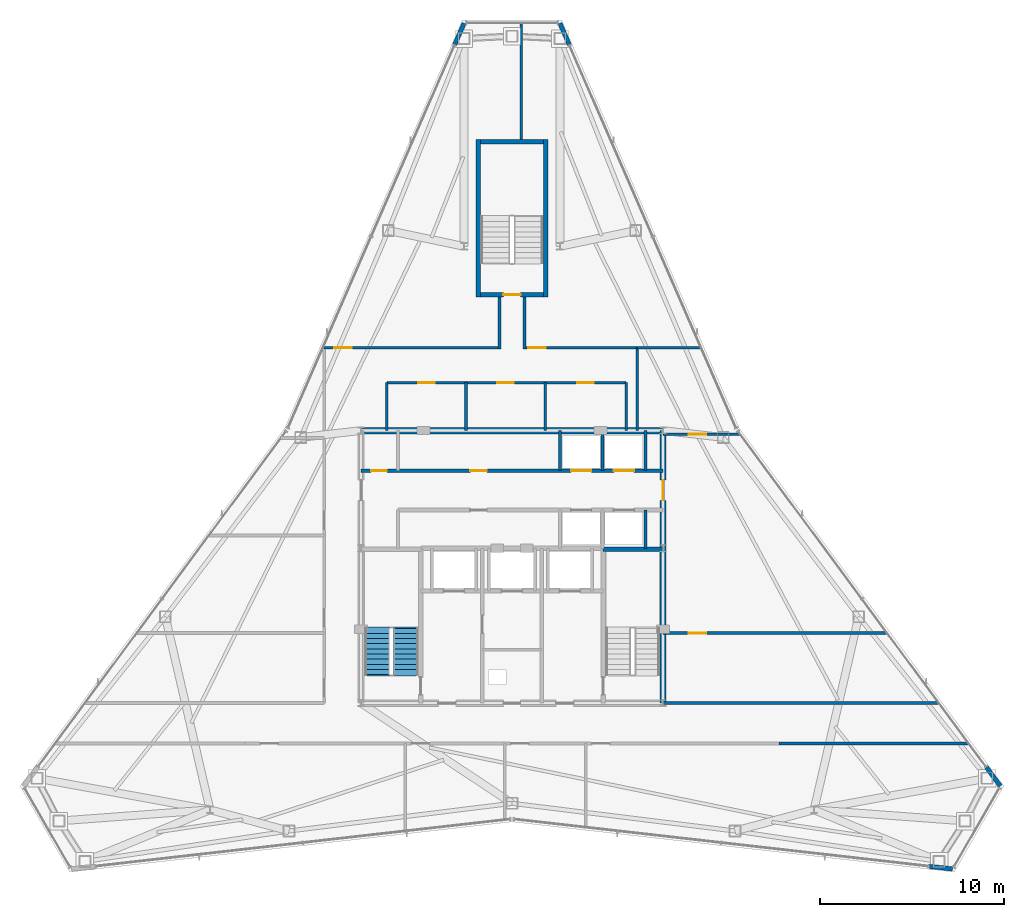
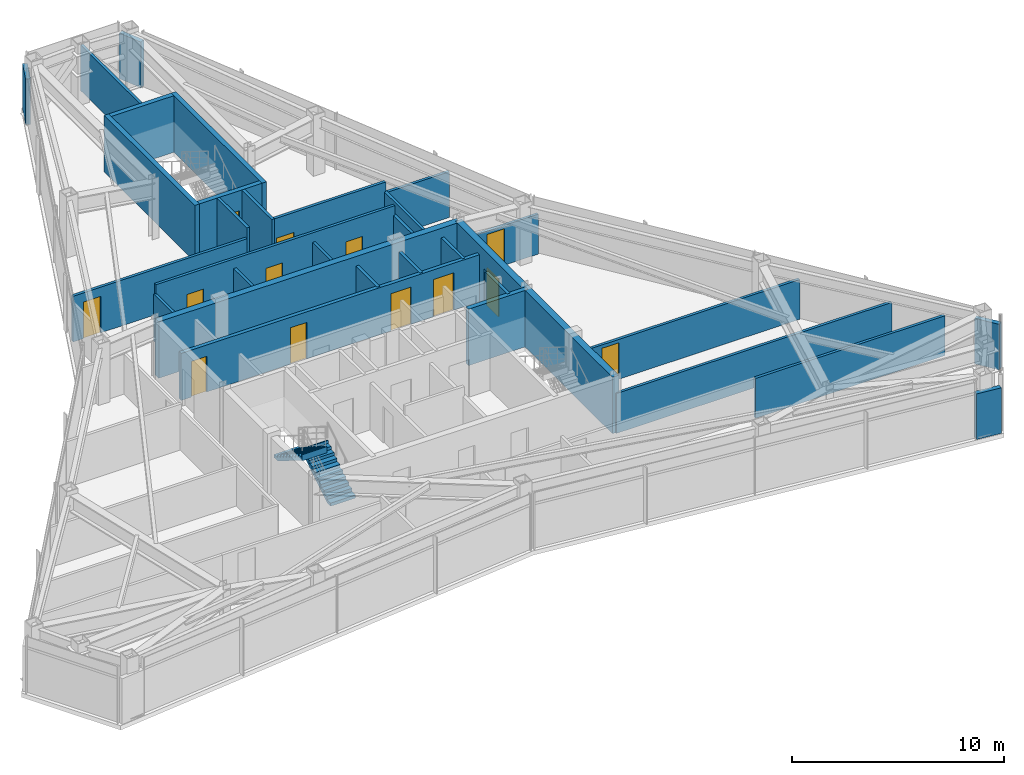
# One storey, part 10 of 12: 32 walls, 13 doors, 2 stair flights, 13 openings, 1 element without a shape of its own.
"""IFC4 building model written with IfcOpenShell, lengths in metres."""

import ifcopenshell
import ifcopenshell.guid

model = None  # the IFC model being written
_history = None  # IfcOwnerHistory: only IFC2X3 demands one
_inside = {}  # id of a spatial element -> (the spatial element, [elements in it])
_under = {}  # id of a project, library or spatial element -> (it, [spatial elements below it])
_declared = {}  # id of a project -> (the project, [libraries it declares])
_typed = {}  # id of a type object -> (the type object, [elements of that type])
_made_of = {}  # id of a material, layer set ... -> (it, [elements and type objects made of it])


def new_model(schema):
    """Start an empty IFC model of exactly this schema.

    Asked for "IFC4X3", IfcOpenShell would pick the latest addendum, in which some entities
    have other attributes; the version numbers below select the first issue.
    IFC2X3 requires an IfcOwnerHistory on every rooted entity: one is made here for all.
    """
    global model, _history
    if schema == "IFC4X3":
        model = ifcopenshell.file(schema_version=(4, 3, 0, 0))
    else:
        model = ifcopenshell.file(schema=schema)
    _inside.clear()
    _under.clear()
    _declared.clear()
    _typed.clear()
    _made_of.clear()
    _history = None
    if model.schema == "IFC2X3":
        org = make("IfcOrganization", Name="unknown")
        user = make(
            "IfcPersonAndOrganization",
            ThePerson=make("IfcPerson", FamilyName="unknown"),
            TheOrganization=org,
        )
        app = make(
            "IfcApplication",
            ApplicationDeveloper=org,
            Version="unknown",
            ApplicationFullName="unknown",
            ApplicationIdentifier="unknown",
        )
        _history = make(
            "IfcOwnerHistory",
            OwningUser=user,
            OwningApplication=app,
            ChangeAction="ADDED",
            CreationDate=0,
        )
    return model


def make(cls, **values):
    """One entity of the class cls with the attributes given. An attribute that is None is left unset."""
    return model.create_entity(
        cls, **{name: value for name, value in values.items() if value is not None}
    )


def rooted(cls, **values):
    """An entity with a GlobalId (a new one), such as an element, a storey or a relation."""
    return make(cls, GlobalId=ifcopenshell.guid.new(), OwnerHistory=_history, **values)


def si_unit(unit_type, name, prefix=None):
    """IfcSIUnit, for example si_unit("LENGTHUNIT", "METRE", prefix="MILLI")."""
    return make("IfcSIUnit", UnitType=unit_type, Prefix=prefix, Name=name)


def assignment(units):
    """IfcUnitAssignment: the units of a project."""
    return None if units is None else make("IfcUnitAssignment", Units=units)


def point(xyz):
    """IfcCartesianPoint."""
    return None if xyz is None else make("IfcCartesianPoint", Coordinates=xyz)


def direction(xyz):
    """IfcDirection."""
    return None if xyz is None else make("IfcDirection", DirectionRatios=xyz)


def frame(location, z_axis=None, x_axis=None):
    """IfcAxis2Placement3D, a coordinate frame: its origin and axes. An axis left out is left unset."""
    return make(
        "IfcAxis2Placement3D",
        Location=point(location),
        Axis=direction(z_axis),
        RefDirection=direction(x_axis),
    )


def frame_2d(location, x_axis=None):
    """IfcAxis2Placement2D, a coordinate frame in the plane: its origin and x axis."""
    return make(
        "IfcAxis2Placement2D", Location=point(location), RefDirection=direction(x_axis)
    )


def origin():
    """The frame at (0, 0, 0) with its axes left unset."""
    return frame((0.0, 0.0, 0.0))


def place(relative_to, where):
    """IfcLocalPlacement: puts the frame where relative to a parent placement (None: the world)."""
    return make(
        "IfcLocalPlacement", PlacementRelTo=relative_to, RelativePlacement=where
    )


def context(
    kind, dimensions, precision=None, world=None, true_north=None, identifier=None
):
    """IfcGeometricRepresentationContext, for example the 3D "Model" context."""
    return make(
        "IfcGeometricRepresentationContext",
        ContextIdentifier=identifier,
        ContextType=kind,
        CoordinateSpaceDimension=dimensions,
        Precision=precision,
        WorldCoordinateSystem=world,
        TrueNorth=true_north,
    )


def subcontext(parent, identifier, kind, view, scale=None):
    """IfcGeometricRepresentationSubContext, for example "Body" below "Model"."""
    return make(
        "IfcGeometricRepresentationSubContext",
        ContextIdentifier=identifier,
        ContextType=kind,
        ParentContext=parent,
        TargetScale=scale,
        TargetView=view,
    )


def project(units=None, contexts=None):
    """IfcProject with its units and contexts."""
    return rooted(
        "IfcProject",
        Name="project",
        RepresentationContexts=contexts,
        UnitsInContext=assignment(units),
    )


def spatial(cls, under=None, at=None, **own):
    """A site, building, storey or space (cls), placed at a placement, below another one or the project."""
    s = rooted(cls, ObjectPlacement=at, **own)
    if under is not None:
        _under.setdefault(under.id(), (under, []))[1].append(s)
    return s


def polyline(points):
    """IfcPolyline through the points."""
    return make("IfcPolyline", Points=[point(p) for p in points])


def profile(cls, at=None, kind="AREA", **sizes):
    """A parametric profile (cls). Its sizes go by their IFC names, for example OverallWidth=200.0."""
    return make(cls, ProfileType=kind, Position=at, **sizes)


def rectangle(**sizes):
    """IfcRectangleProfileDef."""
    return profile("IfcRectangleProfileDef", **sizes)


def outline(outer, holes=None, kind="AREA"):
    """IfcArbitraryClosedProfileDef: a profile drawn as a closed curve; with holes, ...WithVoids."""
    if holes is None:
        return make("IfcArbitraryClosedProfileDef", ProfileType=kind, OuterCurve=outer)
    return make(
        "IfcArbitraryProfileDefWithVoids",
        ProfileType=kind,
        OuterCurve=outer,
        InnerCurves=holes,
    )


def extrude(swept, where, along, depth):
    """IfcExtrudedAreaSolid: the profile swept, set in the frame where, extruded along a direction by depth."""
    return make(
        "IfcExtrudedAreaSolid",
        SweptArea=swept,
        Position=where,
        ExtrudedDirection=direction(along),
        Depth=depth,
    )


def shape(context_of_items, identifier, shape_type, items):
    """IfcShapeRepresentation: the items that make up one representation, for example the "Body"."""
    return make(
        "IfcShapeRepresentation",
        ContextOfItems=context_of_items,
        RepresentationIdentifier=identifier,
        RepresentationType=shape_type,
        Items=items,
    )


def material(Name=None, Category=None):
    """IfcMaterial."""
    return make("IfcMaterial", Name=Name, Category=Category)


def layer(
    of_material, thickness, ventilated=None, Name=None, Category=None, Priority=None
):
    """IfcMaterialLayer: one layer of a wall or slab, of a material (None: an air gap)."""
    return make(
        "IfcMaterialLayer",
        Material=of_material,
        LayerThickness=thickness,
        IsVentilated=ventilated,
        Name=Name,
        Category=Category,
        Priority=Priority,
    )


def layer_set(layers, Name=None):
    """IfcMaterialLayerSet."""
    return make("IfcMaterialLayerSet", MaterialLayers=layers, LayerSetName=Name)


def made_of(thing, what):
    """Note that an element or type object is made of a material, layer set ...; save() writes the relation."""
    if what is not None:
        _made_of.setdefault(what.id(), (what, []))[1].append(thing)
    return thing


def type_object(cls, material=None, **own):
    """A type object (cls), such as IfcWallType, which elements share."""
    return made_of(rooted(cls, **own), material)


def element(
    cls,
    number,
    at=None,
    inside=None,
    cuts=None,
    type_object=None,
    material=None,
    context=None,
    identifier="Body",
    shape_type=None,
    held_by="IfcProductDefinitionShape",
    body=None,
    shapes=None,
    **own,
):
    """One element of the class cls, such as IfcWall. Its Tag is "e" and its number.

    at: its placement. inside: the storey or other place that contains it. cuts: it is an
    opening in that element (IfcRelVoidsElement). A single representation is given by context,
    identifier, shape_type and body (its items); several are given by shapes. held_by: the class
    of the entity that holds the representations. save() writes the other relations.
    """
    e = rooted(cls, Tag="e%d" % number, ObjectPlacement=at, **own)
    if body is not None:
        shapes = [shape(context, identifier, shape_type, body)]
    if shapes is not None:
        e.Representation = make(held_by, Representations=shapes)
    if inside is not None:
        _inside.setdefault(inside.id(), (inside, []))[1].append(e)
    if cuts is not None:
        rooted(
            "IfcRelVoidsElement", RelatingBuildingElement=cuts, RelatedOpeningElement=e
        )
    if type_object is not None:
        _typed.setdefault(type_object.id(), (type_object, []))[1].append(e)
    return made_of(e, material)


def fill(opening, filler):
    """IfcRelFillsElement: the door or window that sits in an opening."""
    return rooted(
        "IfcRelFillsElement",
        RelatingOpeningElement=opening,
        RelatedBuildingElement=filler,
    )


def aggregate(whole, parts):
    """IfcRelAggregates: a whole, such as a stair, and the parts it consists of."""
    return rooted("IfcRelAggregates", RelatingObject=whole, RelatedObjects=parts)


def save(model, path):
    """Write the relations noted so far, then the file.

    IfcRelAggregates (storeys below a building ...), IfcRelContainedInSpatialStructure (elements
    in a storey), IfcRelDefinesByType, IfcRelAssociatesMaterial and IfcRelDeclares: one each for
    every whole, place, type object, material and project.
    """
    for whole, parts in _under.values():
        aggregate(whole, parts)
    for where, things in _inside.values():
        rooted(
            "IfcRelContainedInSpatialStructure",
            RelatedElements=things,
            RelatingStructure=where,
        )
    for kind, things in _typed.values():
        rooted("IfcRelDefinesByType", RelatedObjects=things, RelatingType=kind)
    for what, things in _made_of.values():
        rooted("IfcRelAssociatesMaterial", RelatedObjects=things, RelatingMaterial=what)
    for by, libraries in _declared.values():
        rooted("IfcRelDeclares", RelatingContext=by, RelatedDefinitions=libraries)
    model.write(path)


model = new_model("IFC4")

# Units and contexts
model_context = context("Model", 3, precision=1e-05, world=origin(), true_north=direction((0.0, 1.0)))
body_context = subcontext(model_context, "Body", "Model", "MODEL_VIEW")
ifc_project = project(units=[si_unit("LENGTHUNIT", "METRE"), si_unit("AREAUNIT", "SQUARE_METRE"), si_unit("VOLUMEUNIT", "CUBIC_METRE"), si_unit("PLANEANGLEUNIT", "RADIAN"), si_unit("MASSUNIT", "GRAM", prefix="KILO")], contexts=[model_context])

# Site, building, storey
site_placement = place(None, origin())
site = spatial("IfcSite", under=ifc_project, at=site_placement, CompositionType="ELEMENT")
building_placement = place(site_placement, origin())
building = spatial("IfcBuilding", under=site, at=building_placement, Name="Varakhsha Concourse Tower", CompositionType="ELEMENT")
storey_placement = place(building_placement, frame((0.0, 0.0, 276.0)))
storey = spatial("IfcBuildingStorey", under=building, at=storey_placement, Name="L78", CompositionType="ELEMENT", Elevation=276.0)

# Wall
ifc_material_1 = material(Name="Concrete fc 65 MPa", Category="concrete")
ifc_layer_1 = layer(ifc_material_1, 0.35009765625, Name="WL-CORE-350")
ifc_layer_set_1 = layer_set([ifc_layer_1], Name="Concrete fc 65 MPa")
wall_type_1 = type_object("IfcWallType", Name="WL-CORE-350", PredefinedType="SHEAR", material=ifc_layer_set_1)
wall_1_placement = place(storey_placement, frame((31.800048828125, 31.199951171875, 0.0), z_axis=(0.0, 0.0, 1.0), x_axis=(1.0, 0.0, 0.0)))
element("IfcWall", 1, at=wall_1_placement, inside=storey, type_object=wall_type_1, Name="L78 Wall CWALL-N-L78", PredefinedType="SHEAR", context=body_context, shape_type="SweptSolid", body=[
    extrude(rectangle(XDim=16.39990234375, YDim=0.35009765625, at=frame_2d((8.199951171875, 0.0))), origin(), (0.0, 0.0, 1.0), 3.25),
])

# Wall, opening, door
wall_2_placement = place(storey_placement, frame((48.199951171875, 16.39990234375, 0.0), z_axis=(0.0, 0.0, 1.0), x_axis=(0.0, 1.0, 0.0)))
wall_2 = element("IfcWall", 2, at=wall_2_placement, inside=storey, type_object=wall_type_1, Name="L78 Wall CWALL-E-L78", PredefinedType="SHEAR", context=body_context, shape_type="SweptSolid", body=[
    extrude(rectangle(XDim=14.800048828125, YDim=0.35009765625, at=frame_2d((7.39990234375, 0.0))), origin(), (0.0, 0.0, 1.0), 3.25),
])
opening_1_placement = place(wall_2_placement, frame((11.0, 0.0, 0.0)))
opening_1 = element("IfcOpeningElement", 3, at=opening_1_placement, cuts=wall_2, Name="Opening DL-01", PredefinedType="OPENING", context=body_context, shape_type="SweptSolid", body=[
    extrude(rectangle(XDim=1.10009765625, YDim=2.14990234375, at=frame_2d((0.550048828125, 1.074951171875))), frame((0.0, 0.18505859375, 0.0), z_axis=(0.0, -1.0, 0.0), x_axis=(1.0, 0.0, 0.0)), (0.0, 0.0, 1.0), 0.3701171875),
])
ifc_material_2 = material(Name="Anodised Bronze Architectural Aluminium AA 6063-T6", Category="aluminium")
door_type_1 = type_object("IfcDoorType", Name="DR-LOB-1100", OperationType="NOTDEFINED", PredefinedType="DOOR", material=ifc_material_2)
door_1_placement = place(opening_1_placement, origin())
door_1 = element("IfcDoor", 4, at=door_1_placement, inside=storey, type_object=door_type_1, Name="L78 Lift Lobby East Concourse Door", OperationType="SINGLE_SWING_RIGHT", OverallHeight=2.14990234375, OverallWidth=1.10009765625, PredefinedType="DOOR", context=body_context, shape_type="SweptSolid", body=[
    extrude(rectangle(XDim=1.10009765625, YDim=2.14990234375, at=frame_2d((0.550048828125, 1.074951171875))), frame((0.0, 0.02490234375, 0.0), z_axis=(0.0, -1.0, 0.0), x_axis=(1.0, 0.0, 0.0)), (0.0, 0.0, 1.0), 0.050048828125),
])
fill(opening_1, door_1)

# Walls
ifc_material_3 = material(Name="Concrete fc 45 MPa", Category="concrete")
ifc_layer_2 = layer(ifc_material_3, 0.239990234375, Name="WL-EXT-CRN-240")
ifc_layer_set_2 = layer_set([ifc_layer_2], Name="Concrete fc 45 MPa")
wall_type_2 = type_object("IfcWallType", Name="WL-EXT-CRN-240", PredefinedType="SHEAR", material=ifc_layer_set_2)
for number, where, z_axis, x_axis, name in (
    (5, (37.398681640625, 53.322998046875, 0.0), (0.0, 0.0, 1.0), (-0.398888090641, -0.916999613492, 0.0), "L78 Wind-Corner Shoulder Wall F2"),
    (6, (62.6611328125, 7.52880859375, 0.0), (0.0, 0.0, 1.0), (0.993610655419, -0.11286215237, 0.0), "L78 Wind-Corner Shoulder Wall F6"),
):
    element("IfcWall", number, at=place(storey_placement, frame(where, z_axis=z_axis, x_axis=x_axis)), inside=storey, type_object=wall_type_2, Name=name, PredefinedType="SHEAR", context=body_context, shape_type="SweptSolid", body=[
        extrude(rectangle(XDim=1.267578125, YDim=0.239990234375, at=frame_2d((0.6337890625, 0.0))), origin(), (0.0, 0.0, 1.0), 2.623046875),
    ])
wall_3_placement = place(storey_placement, frame((66.521728515625, 11.891357421875, 0.0), z_axis=(0.0, 0.0, 1.0), x_axis=(-0.594499388503, 0.804096062091, 0.0)))
element("IfcWall", 7, at=wall_3_placement, inside=storey, type_object=wall_type_2, Name="L78 Wind-Corner Shoulder Wall F8", PredefinedType="SHEAR", context=body_context, shape_type="SweptSolid", body=[
    extrude(rectangle(XDim=1.267333984375, YDim=0.239990234375, at=frame_2d((0.6337890625, 0.0))), origin(), (0.0, 0.0, 1.0), 2.623046875),
])
wall_4_placement = place(storey_placement, frame((43.10693359375, 52.16064453125, 0.0), z_axis=(0.0, 0.0, 1.0), x_axis=(-0.398888090641, 0.916999613492, 0.0)))
element("IfcWall", 8, at=wall_4_placement, inside=storey, type_object=wall_type_2, Name="L78 Wind-Corner Shoulder Wall F9", PredefinedType="SHEAR", context=body_context, shape_type="SweptSolid", body=[
    extrude(rectangle(XDim=1.267578125, YDim=0.239990234375, at=frame_2d((0.6337890625, 0.0))), origin(), (0.0, 0.0, 1.0), 2.623046875),
])

# Wall, openings, doors
ifc_material_4 = material(Name="Fire-Rated Type X Gypsum Partition Assembly", Category="gypsum")
ifc_layer_3 = layer(ifc_material_4, 0.14990234375, Name="WL-PART-150")
ifc_layer_set_3 = layer_set([ifc_layer_3], Name="Fire-Rated Type X Gypsum Partition Assembly")
wall_type_3 = type_object("IfcWallType", Name="WL-PART-150", PredefinedType="PARTITIONING", material=ifc_layer_set_3)
wall_5_placement = place(storey_placement, frame((33.199951171875, 33.800048828125, 0.0), z_axis=(0.0, 0.0, 1.0), x_axis=(1.0, 0.0, 0.0)))
wall_5 = element("IfcWall", 9, at=wall_5_placement, inside=storey, type_object=wall_type_3, Name="L78 Wall NBOH-N-L78", PredefinedType="PARTITIONING", context=body_context, shape_type="SweptSolid", body=[
    extrude(rectangle(XDim=13.0, YDim=0.14990234375, at=frame_2d((6.5, 0.0))), origin(), (0.0, 0.0, 1.0), 3.25),
])
opening_2_placement = place(wall_5_placement, frame((1.699951171875, 0.0, 0.0)))
opening_2 = element("IfcOpeningElement", 10, at=opening_2_placement, cuts=wall_5, Name="Opening DF-06", PredefinedType="OPENING", context=body_context, shape_type="SweptSolid", body=[
    extrude(rectangle(XDim=0.89990234375, YDim=2.10009765625, at=frame_2d((0.449951171875, 1.050048828125))), frame((0.0, 0.0849609375, 0.0), z_axis=(0.0, -1.0, 0.0), x_axis=(1.0, 0.0, 0.0)), (0.0, 0.0, 1.0), 0.169921875),
])
opening_3_placement = place(wall_5_placement, frame((6.0, 0.0, 0.0)))
opening_3 = element("IfcOpeningElement", 11, at=opening_3_placement, cuts=wall_5, Name="Opening DF-06", PredefinedType="OPENING", context=body_context, shape_type="SweptSolid", body=[
    extrude(rectangle(XDim=0.89990234375, YDim=2.10009765625, at=frame_2d((0.449951171875, 1.050048828125))), frame((0.0, 0.0849609375, 0.0), z_axis=(0.0, -1.0, 0.0), x_axis=(1.0, 0.0, 0.0)), (0.0, 0.0, 1.0), 0.169921875),
])
opening_4_placement = place(wall_5_placement, frame((10.35009765625, 0.0, 0.0)))
opening_4 = element("IfcOpeningElement", 12, at=opening_4_placement, cuts=wall_5, Name="Opening DF-06", PredefinedType="OPENING", context=body_context, shape_type="SweptSolid", body=[
    extrude(rectangle(XDim=0.89990234375, YDim=2.10009765625, at=frame_2d((0.449951171875, 1.050048828125))), frame((0.0, 0.0849609375, 0.0), z_axis=(0.0, -1.0, 0.0), x_axis=(1.0, 0.0, 0.0)), (0.0, 0.0, 1.0), 0.169921875),
])
ifc_material_5 = material(Name="Hollow Galvanised Steel Fire Door Assembly", Category="steel")
door_type_2 = type_object("IfcDoorType", Name="DR-FD60-900", OperationType="NOTDEFINED", PredefinedType="DOOR", material=ifc_material_5)
door_2_placement = place(opening_2_placement, origin())
door_2 = element("IfcDoor", 13, at=door_2_placement, inside=storey, type_object=door_type_2, Name="L78 Men Restroom WC Door", OperationType="SINGLE_SWING_LEFT", OverallHeight=2.10009765625, OverallWidth=0.89990234375, PredefinedType="DOOR", context=body_context, shape_type="SweptSolid", body=[
    extrude(rectangle(XDim=0.89990234375, YDim=2.10009765625, at=frame_2d((0.449951171875, 1.050048828125))), frame((0.0, 0.02490234375, 0.0), z_axis=(0.0, -1.0, 0.0), x_axis=(1.0, 0.0, 0.0)), (0.0, 0.0, 1.0), 0.050048828125),
])
fill(opening_2, door_2)
door_3_placement = place(opening_3_placement, origin())
door_3 = element("IfcDoor", 14, at=door_3_placement, inside=storey, type_object=door_type_2, Name="L78 Women Restroom WC Door", OperationType="SINGLE_SWING_RIGHT", OverallHeight=2.10009765625, OverallWidth=0.89990234375, PredefinedType="DOOR", context=body_context, shape_type="SweptSolid", body=[
    extrude(rectangle(XDim=0.89990234375, YDim=2.10009765625, at=frame_2d((0.449951171875, 1.050048828125))), frame((0.0, 0.02490234375, 0.0), z_axis=(0.0, -1.0, 0.0), x_axis=(1.0, 0.0, 0.0)), (0.0, 0.0, 1.0), 0.050048828125),
])
fill(opening_3, door_3)
door_4_placement = place(opening_4_placement, origin())
door_4 = element("IfcDoor", 15, at=door_4_placement, inside=storey, type_object=door_type_2, Name="L78 Accessible WC Door", OperationType="SINGLE_SWING_LEFT", OverallHeight=2.10009765625, OverallWidth=0.89990234375, PredefinedType="DOOR", context=body_context, shape_type="SweptSolid", body=[
    extrude(rectangle(XDim=0.89990234375, YDim=2.10009765625, at=frame_2d((0.449951171875, 1.050048828125))), frame((0.0, 0.02490234375, 0.0), z_axis=(0.0, -1.0, 0.0), x_axis=(1.0, 0.0, 0.0)), (0.0, 0.0, 1.0), 0.050048828125),
])
fill(opening_4, door_4)

# Walls
for number, where, z_axis, x_axis, name in (
    (16, (33.199951171875, 31.199951171875, 0.0), (0.0, 0.0, 1.0), (0.0, 1.0, 0.0), "L78 Wall NBOH-W-L78"),
    (17, (46.199951171875, 31.199951171875, 0.0), (0.0, 0.0, 1.0), (0.0, 1.0, 0.0), "L78 Wall NBOH-E-L78"),
    (18, (37.5, 31.199951171875, 0.0), (0.0, 0.0, 1.0), (0.0, 1.0, 0.0), "L78 Wall NBOH-D1-L78"),
    (19, (41.800048828125, 31.199951171875, 0.0), (0.0, 0.0, 1.0), (0.0, 1.0, 0.0), "L78 Wall NBOH-D2-L78"),
):
    element("IfcWall", number, at=place(storey_placement, frame(where, z_axis=z_axis, x_axis=x_axis)), inside=storey, type_object=wall_type_3, Name=name, PredefinedType="PARTITIONING", context=body_context, shape_type="SweptSolid", body=[
        extrude(rectangle(XDim=2.60009765625, YDim=0.14990234375, at=frame_2d((1.300048828125, 0.0))), origin(), (0.0, 0.0, 1.0), 2.705078125),
    ])
wall_6_placement = place(storey_placement, frame((54.5, 14.199951171875, 0.0), z_axis=(0.0, 0.0, 1.0), x_axis=(1.0, 0.0, 0.0)))
element("IfcWall", 20, at=wall_6_placement, inside=storey, type_object=wall_type_3, Name="L78 Wall CRW-SGAL-SE-L78", PredefinedType="PARTITIONING", context=body_context, shape_type="SweptSolid", body=[
    extrude(rectangle(XDim=10.308349609375, YDim=0.14990234375, at=frame_2d((5.154296875, 0.0))), origin(), (0.0, 0.0, 1.0), 2.2919921875),
])
wall_7_placement = place(storey_placement, frame((48.199951171875, 16.39990234375, 0.0), z_axis=(0.0, 0.0, 1.0), x_axis=(1.0, 0.0, 0.0)))
element("IfcWall", 21, at=wall_7_placement, inside=storey, type_object=wall_type_3, Name="L78 Wall CRW-SGAL-NE-L78", PredefinedType="PARTITIONING", context=body_context, shape_type="SweptSolid", body=[
    extrude(rectangle(XDim=14.981689453125, YDim=0.14990234375, at=frame_2d((7.49072265625, 0.0))), origin(), (0.0, 0.0, 1.0), 2.2919921875),
])

# Wall, opening, door
wall_8_placement = place(storey_placement, frame((29.800048828125, 35.699951171875, 0.0), z_axis=(0.0, 0.0, 1.0), x_axis=(1.0, 0.0, 0.0)))
wall_8 = element("IfcWall", 22, at=wall_8_placement, inside=storey, type_object=wall_type_3, Name="L78 Wall CRW-N-L78", PredefinedType="PARTITIONING", context=body_context, shape_type="SweptSolid", body=[
    extrude(rectangle(XDim=9.449951171875, YDim=0.14990234375, at=frame_2d((4.72509765625, 0.0))), origin(), (0.0, 0.0, 1.0), 2.6279296875),
])
opening_5_placement = place(wall_8_placement, frame((0.550048828125, 0.0, 0.0)))
opening_5 = element("IfcOpeningElement", 23, at=opening_5_placement, cuts=wall_8, Name="Opening DF-05", PredefinedType="OPENING", context=body_context, shape_type="SweptSolid", body=[
    extrude(rectangle(XDim=0.949951171875, YDim=2.10009765625, at=frame_2d((0.47509765625, 1.050048828125))), frame((0.0, 0.0849609375, 0.0), z_axis=(0.0, -1.0, 0.0), x_axis=(1.0, 0.0, 0.0)), (0.0, 0.0, 1.0), 0.169921875),
])
door_type_3 = type_object("IfcDoorType", Name="DR-FD60-950", OperationType="NOTDEFINED", PredefinedType="DOOR", material=ifc_material_5)
door_5_placement = place(opening_5_placement, origin())
door_5 = element("IfcDoor", 24, at=door_5_placement, inside=storey, type_object=door_type_3, Name="L78 Mountain View Grand Corner Boardroom L78-N1 Door", OperationType="SINGLE_SWING_LEFT", OverallHeight=2.10009765625, OverallWidth=0.949951171875, PredefinedType="DOOR", context=body_context, shape_type="SweptSolid", body=[
    extrude(rectangle(XDim=0.949951171875, YDim=2.10009765625, at=frame_2d((0.47509765625, 1.050048828125))), frame((0.0, 0.02490234375, 0.0), z_axis=(0.0, -1.0, 0.0), x_axis=(1.0, 0.0, 0.0)), (0.0, 0.0, 1.0), 0.050048828125),
])
fill(opening_5, door_5)

wall_9_placement = place(storey_placement, frame((40.75, 35.699951171875, 0.0), z_axis=(0.0, 0.0, 1.0), x_axis=(1.0, 0.0, 0.0)))
wall_9 = element("IfcWall", 25, at=wall_9_placement, inside=storey, type_object=wall_type_3, Name="L78 Wall CRW-N-L78-B", PredefinedType="PARTITIONING", context=body_context, shape_type="SweptSolid", body=[
    extrude(rectangle(XDim=6.050048828125, YDim=0.14990234375, at=frame_2d((3.02490234375, 0.0))), origin(), (0.0, 0.0, 1.0), 3.25),
])
opening_6_placement = place(wall_9_placement, frame((0.1201171875, 0.0, 0.0)))
opening_6 = element("IfcOpeningElement", 26, at=opening_6_placement, cuts=wall_9, Name="Opening DF-05", PredefinedType="OPENING", context=body_context, shape_type="SweptSolid", body=[
    extrude(rectangle(XDim=0.949951171875, YDim=2.10009765625, at=frame_2d((0.47509765625, 1.050048828125))), frame((0.0, 0.0849609375, 0.0), z_axis=(0.0, -1.0, 0.0), x_axis=(1.0, 0.0, 0.0)), (0.0, 0.0, 1.0), 0.169921875),
])
door_6_placement = place(opening_6_placement, origin())
door_6 = element("IfcDoor", 27, at=door_6_placement, inside=storey, type_object=door_type_3, Name="L78 North Executive Director Suite L78-N2 Door", OperationType="SINGLE_SWING_RIGHT", OverallHeight=2.10009765625, OverallWidth=0.949951171875, PredefinedType="DOOR", context=body_context, shape_type="SweptSolid", body=[
    extrude(rectangle(XDim=0.949951171875, YDim=2.10009765625, at=frame_2d((0.47509765625, 1.050048828125))), frame((0.0, 0.02490234375, 0.0), z_axis=(0.0, -1.0, 0.0), x_axis=(1.0, 0.0, 0.0)), (0.0, 0.0, 1.0), 0.050048828125),
])
fill(opening_6, door_6)

# Walls
wall_10_placement = place(storey_placement, frame((46.800048828125, 31.199951171875, 0.0), z_axis=(0.0, 0.0, 1.0), x_axis=(0.0, 1.0, 0.0)))
element("IfcWall", 28, at=wall_10_placement, inside=storey, type_object=wall_type_3, Name="L78 Wall CRW-NE-L78", PredefinedType="PARTITIONING", context=body_context, shape_type="SweptSolid", body=[
    extrude(rectangle(XDim=4.5, YDim=0.14990234375, at=frame_2d((2.25, 0.0))), origin(), (0.0, 0.0, 1.0), 2.705078125),
])
wall_11_placement = place(storey_placement, frame((46.800048828125, 35.699951171875, 0.0), z_axis=(0.0, 0.0, 1.0), x_axis=(1.0, 0.0, 0.0)))
element("IfcWall", 29, at=wall_11_placement, inside=storey, type_object=wall_type_3, Name="L78 Wall ODIV-EBN-L78", PredefinedType="PARTITIONING", context=body_context, shape_type="SweptSolid", body=[
    extrude(rectangle(XDim=3.466064453125, YDim=0.14990234375, at=frame_2d((1.73291015625, 0.0))), origin(), (0.0, 0.0, 1.0), 2.6279296875),
])

# Wall, opening, door
wall_12_placement = place(storey_placement, frame((48.199951171875, 20.199951171875, 0.0), z_axis=(0.0, 0.0, 1.0), x_axis=(1.0, 0.0, 0.0)))
wall_12 = element("IfcWall", 30, at=wall_12_placement, inside=storey, type_object=wall_type_3, Name="L78 Wall ODIV-E1-L78", PredefinedType="PARTITIONING", context=body_context, shape_type="SweptSolid", body=[
    extrude(rectangle(XDim=12.172119140625, YDim=0.14990234375, at=frame_2d((6.0859375, 0.0))), origin(), (0.0, 0.0, 1.0), 2.2919921875),
])
opening_7_placement = place(wall_12_placement, frame((1.39990234375, 0.0, 0.0)))
opening_7 = element("IfcOpeningElement", 31, at=opening_7_placement, cuts=wall_12, Name="Opening DF-05", PredefinedType="OPENING", context=body_context, shape_type="SweptSolid", body=[
    extrude(rectangle(XDim=0.949951171875, YDim=2.10009765625, at=frame_2d((0.47509765625, 1.050048828125))), frame((0.0, 0.0849609375, 0.0), z_axis=(0.0, -1.0, 0.0), x_axis=(1.0, 0.0, 0.0)), (0.0, 0.0, 1.0), 0.169921875),
])
door_7_placement = place(opening_7_placement, origin())
door_7 = element("IfcDoor", 32, at=door_7_placement, inside=storey, type_object=door_type_3, Name="L78 East Suite Interconnect Door 1", OperationType="SINGLE_SWING_LEFT", OverallHeight=2.10009765625, OverallWidth=0.949951171875, PredefinedType="DOOR", context=body_context, shape_type="SweptSolid", body=[
    extrude(rectangle(XDim=0.949951171875, YDim=2.10009765625, at=frame_2d((0.47509765625, 1.050048828125))), frame((0.0, 0.02490234375, 0.0), z_axis=(0.0, -1.0, 0.0), x_axis=(1.0, 0.0, 0.0)), (0.0, 0.0, 1.0), 0.050048828125),
])
fill(opening_7, door_7)

wall_13_placement = place(storey_placement, frame((48.199951171875, 31.0, 0.0), z_axis=(0.0, 0.0, 1.0), x_axis=(1.0, 0.0, 0.0)))
wall_13 = element("IfcWall", 33, at=wall_13_placement, inside=storey, type_object=wall_type_3, Name="L78 Wall ODIV-E2-L78", PredefinedType="PARTITIONING", context=body_context, shape_type="SweptSolid", body=[
    extrude(rectangle(XDim=4.186767578125, YDim=0.14990234375, at=frame_2d((2.09326171875, 0.0))), origin(), (0.0, 0.0, 1.0), 2.2919921875),
])
opening_8_placement = place(wall_13_placement, frame((1.39990234375, 0.0, 0.0)))
opening_8 = element("IfcOpeningElement", 34, at=opening_8_placement, cuts=wall_13, Name="Opening DF-05", PredefinedType="OPENING", context=body_context, shape_type="SweptSolid", body=[
    extrude(rectangle(XDim=0.949951171875, YDim=2.10009765625, at=frame_2d((0.47509765625, 1.050048828125))), frame((0.0, 0.0849609375, 0.0), z_axis=(0.0, -1.0, 0.0), x_axis=(1.0, 0.0, 0.0)), (0.0, 0.0, 1.0), 0.169921875),
])
door_8_placement = place(opening_8_placement, origin())
door_8 = element("IfcDoor", 35, at=door_8_placement, inside=storey, type_object=door_type_3, Name="L78 East Suite Interconnect Door 2", OperationType="SINGLE_SWING_RIGHT", OverallHeight=2.10009765625, OverallWidth=0.949951171875, PredefinedType="DOOR", context=body_context, shape_type="SweptSolid", body=[
    extrude(rectangle(XDim=0.949951171875, YDim=2.10009765625, at=frame_2d((0.47509765625, 1.050048828125))), frame((0.0, 0.02490234375, 0.0), z_axis=(0.0, -1.0, 0.0), x_axis=(1.0, 0.0, 0.0)), (0.0, 0.0, 1.0), 0.050048828125),
])
fill(opening_8, door_8)

# Walls
wall_14_placement = place(storey_placement, frame((40.5, 47.0, 0.0), z_axis=(0.0, 0.0, 1.0), x_axis=(0.0, 1.0, 0.0)))
element("IfcWall", 36, at=wall_14_placement, inside=storey, type_object=wall_type_3, Name="L78 Wall ODIV-N1-L78", PredefinedType="PARTITIONING", context=body_context, shape_type="SweptSolid", body=[
    extrude(rectangle(XDim=6.331787109375, YDim=0.14990234375, at=frame_2d((3.166015625, 0.0))), origin(), (0.0, 0.0, 1.0), 2.6279296875),
])
for number, where, z_axis, x_axis, name in (
    (37, (39.324951171875, 35.625, 0.0), (0.0, 0.0, 1.0), (0.0, 1.0, 0.0), "L78 Wall STUB-W-L78"),
    (38, (40.675048828125, 35.625, 0.0), (0.0, 0.0, 1.0), (0.0, 1.0, 0.0), "L78 Wall STUB-E-L78"),
):
    element("IfcWall", number, at=place(storey_placement, frame(where, z_axis=z_axis, x_axis=x_axis)), inside=storey, type_object=wall_type_3, Name=name, PredefinedType="PARTITIONING", context=body_context, shape_type="SweptSolid", body=[
        extrude(rectangle(XDim=2.824951171875, YDim=0.14990234375, at=frame_2d((1.41259765625, 0.0))), origin(), (0.0, 0.0, 1.0), 3.25),
    ])

# Wall, openings, doors
ifc_layer_4 = layer(ifc_material_4, 0.199951171875, Name="WL-SHAFT-220")
ifc_layer_set_4 = layer_set([ifc_layer_4], Name="Fire-Rated Type X Gypsum Partition Assembly")
wall_type_4 = type_object("IfcWallType", Name="WL-SHAFT-220", PredefinedType="SOLIDWALL", material=ifc_layer_set_4)
wall_15_placement = place(storey_placement, frame((31.800048828125, 29.02001953125, 0.0), z_axis=(0.0, 0.0, 1.0), x_axis=(1.0, 0.0, 0.0)))
wall_15 = element("IfcWall", 39, at=wall_15_placement, inside=storey, type_object=wall_type_4, Name="L78 Wall PLW-N-L78", PredefinedType="SOLIDWALL", context=body_context, shape_type="SweptSolid", body=[
    extrude(rectangle(XDim=16.39990234375, YDim=0.199951171875, at=frame_2d((8.199951171875, 0.0))), origin(), (0.0, 0.0, 1.0), 2.705078125),
])
opening_9_placement = place(wall_15_placement, frame((0.550048828125, 0.0, 0.0)))
opening_9 = element("IfcOpeningElement", 40, at=opening_9_placement, cuts=wall_15, Name="Opening DF-07", PredefinedType="OPENING", context=body_context, shape_type="SweptSolid", body=[
    extrude(rectangle(XDim=0.85009765625, YDim=2.050048828125, at=frame_2d((0.425048828125, 1.02490234375))), frame((0.0, 0.10986328125, 0.0), z_axis=(0.0, -1.0, 0.0), x_axis=(1.0, 0.0, 0.0)), (0.0, 0.0, 1.0), 0.219970703125),
])
opening_10_placement = place(wall_15_placement, frame((5.93994140625, 0.0, 0.0)))
opening_10 = element("IfcOpeningElement", 41, at=opening_10_placement, cuts=wall_15, Name="Opening DF-06", PredefinedType="OPENING", context=body_context, shape_type="SweptSolid", body=[
    extrude(rectangle(XDim=0.89990234375, YDim=2.10009765625, at=frame_2d((0.449951171875, 1.050048828125))), frame((0.0, 0.10986328125, 0.0), z_axis=(0.0, -1.0, 0.0), x_axis=(1.0, 0.0, 0.0)), (0.0, 0.0, 1.0), 0.219970703125),
])
opening_11_placement = place(wall_15_placement, frame((11.409912109375, 0.0, 0.0)))
opening_11 = element("IfcOpeningElement", 42, at=opening_11_placement, cuts=wall_15, Name="Opening LD-LF-P09", PredefinedType="OPENING", context=body_context, shape_type="SweptSolid", body=[
    extrude(rectangle(XDim=1.10009765625, YDim=2.14990234375, at=frame_2d((0.550048828125, 1.074951171875))), frame((0.0, 0.10986328125, 0.0), z_axis=(0.0, -1.0, 0.0), x_axis=(1.0, 0.0, 0.0)), (0.0, 0.0, 1.0), 0.219970703125),
])
opening_12_placement = place(wall_15_placement, frame((13.72998046875, 0.0, 0.0)))
opening_12 = element("IfcOpeningElement", 43, at=opening_12_placement, cuts=wall_15, Name="Opening LD-LF-P10", PredefinedType="OPENING", context=body_context, shape_type="SweptSolid", body=[
    extrude(rectangle(XDim=1.10009765625, YDim=2.14990234375, at=frame_2d((0.550048828125, 1.074951171875))), frame((0.0, 0.10986328125, 0.0), z_axis=(0.0, -1.0, 0.0), x_axis=(1.0, 0.0, 0.0)), (0.0, 0.0, 1.0), 0.219970703125),
])
door_type_4 = type_object("IfcDoorType", Name="DR-FD60-850", OperationType="NOTDEFINED", PredefinedType="DOOR", material=ifc_material_5)
door_9_placement = place(opening_9_placement, origin())
door_9 = element("IfcDoor", 44, at=door_9_placement, inside=storey, type_object=door_type_4, Name="L78 Core Janitor Closet Door", OperationType="SINGLE_SWING_LEFT", OverallHeight=2.050048828125, OverallWidth=0.85009765625, PredefinedType="DOOR", context=body_context, shape_type="SweptSolid", body=[
    extrude(rectangle(XDim=0.85009765625, YDim=2.050048828125, at=frame_2d((0.425048828125, 1.02490234375))), frame((0.0, 0.02490234375, 0.0), z_axis=(0.0, -1.0, 0.0), x_axis=(1.0, 0.0, 0.0)), (0.0, 0.0, 1.0), 0.050048828125),
])
fill(opening_9, door_9)
door_10_placement = place(opening_10_placement, origin())
door_10 = element("IfcDoor", 45, at=door_10_placement, inside=storey, type_object=door_type_2, Name="L78 Tenant Archive and IT Server Room Door", OperationType="SINGLE_SWING_LEFT", OverallHeight=2.10009765625, OverallWidth=0.89990234375, PredefinedType="DOOR", context=body_context, shape_type="SweptSolid", body=[
    extrude(rectangle(XDim=0.89990234375, YDim=2.10009765625, at=frame_2d((0.449951171875, 1.050048828125))), frame((0.0, 0.02490234375, 0.0), z_axis=(0.0, -1.0, 0.0), x_axis=(1.0, 0.0, 0.0)), (0.0, 0.0, 1.0), 0.050048828125),
])
fill(opening_10, door_10)
ifc_material_6 = material(Name="Brushed Austenitic Stainless Steel AISI 316", Category="steel")
door_type_5 = type_object("IfcDoorType", Name="DR-LD-1100", OperationType="DOUBLE_DOOR_SLIDING", PredefinedType="DOOR", material=ifc_material_6)
door_11_placement = place(opening_11_placement, origin())
door_11 = element("IfcDoor", 46, at=door_11_placement, inside=storey, type_object=door_type_5, Name="Lift Landing Door LF-P09 L78", OperationType="DOUBLE_DOOR_SLIDING", OverallHeight=2.14990234375, OverallWidth=1.10009765625, PredefinedType="DOOR", context=body_context, shape_type="SweptSolid", body=[
    extrude(rectangle(XDim=1.10009765625, YDim=2.14990234375, at=frame_2d((0.550048828125, 1.074951171875))), frame((0.0, 0.02490234375, 0.0), z_axis=(0.0, -1.0, 0.0), x_axis=(1.0, 0.0, 0.0)), (0.0, 0.0, 1.0), 0.050048828125),
])
fill(opening_11, door_11)
door_12_placement = place(opening_12_placement, origin())
door_12 = element("IfcDoor", 47, at=door_12_placement, inside=storey, type_object=door_type_5, Name="Lift Landing Door LF-P10 L78", OperationType="DOUBLE_DOOR_SLIDING", OverallHeight=2.14990234375, OverallWidth=1.10009765625, PredefinedType="DOOR", context=body_context, shape_type="SweptSolid", body=[
    extrude(rectangle(XDim=1.10009765625, YDim=2.14990234375, at=frame_2d((0.550048828125, 1.074951171875))), frame((0.0, 0.02490234375, 0.0), z_axis=(0.0, -1.0, 0.0), x_axis=(1.0, 0.0, 0.0)), (0.0, 0.0, 1.0), 0.050048828125),
])
fill(opening_12, door_12)

# Walls
for number, where, z_axis, x_axis, name in (
    (48, (42.60009765625, 29.02001953125, 0.0), (0.0, 0.0, 1.0), (0.0, 1.0, 0.0), "L78 Wall SHW-LF-P09-W-L78"),
    (49, (44.919921875, 29.02001953125, 0.0), (0.0, 0.0, 1.0), (0.0, 1.0, 0.0), "L78 Wall SHW-LF-P09-E-L78"),
    (50, (47.239990234375, 29.02001953125, 0.0), (0.0, 0.0, 1.0), (0.0, 1.0, 0.0), "L78 Wall SHW-LF-P10-E-L78"),
):
    element("IfcWall", number, at=place(storey_placement, frame(where, z_axis=z_axis, x_axis=x_axis)), inside=storey, type_object=wall_type_4, Name=name, PredefinedType="SOLIDWALL", context=body_context, shape_type="SweptSolid", body=[
        extrude(rectangle(XDim=2.179931640625, YDim=0.159912109375, at=frame_2d((1.08984375, 0.0))), origin(), (0.0, 0.0, 1.0), 2.705078125),
    ])
wall_16_placement = place(storey_placement, frame((47.239990234375, 24.800048828125, 0.0), z_axis=(0.0, 0.0, 1.0), x_axis=(0.0, 1.0, 0.0)))
element("IfcWall", 51, at=wall_16_placement, inside=storey, type_object=wall_type_4, Name="L78 Wall SHW-LF-P12-E-L78", PredefinedType="SOLIDWALL", context=body_context, shape_type="SweptSolid", body=[
    extrude(rectangle(XDim=2.079833984375, YDim=0.159912109375, at=frame_2d((1.0400390625, 0.0))), origin(), (0.0, 0.0, 1.0), 3.25),
])
ifc_layer_5 = layer(ifc_material_3, 0.25, Name="WL-STAIR-250")
ifc_layer_set_5 = layer_set([ifc_layer_5], Name="Concrete fc 45 MPa")
wall_type_5 = type_object("IfcWallType", Name="WL-STAIR-250", PredefinedType="SHEAR", material=ifc_layer_set_5)
wall_17_placement = place(storey_placement, frame((44.955078125, 24.7548828125, 0.0), z_axis=(0.0, 0.0, 1.0), x_axis=(1.0, 0.0, 0.0)))
element("IfcWall", 52, at=wall_17_placement, inside=storey, type_object=wall_type_5, Name="L78 Wall SWALL-ST2-N-L78", PredefinedType="SHEAR", context=body_context, shape_type="SweptSolid", body=[
    extrude(rectangle(XDim=3.244873046875, YDim=0.25, at=frame_2d((1.62255859375, 0.0))), origin(), (0.0, 0.0, 1.0), 3.25),
])
for number, where, z_axis, x_axis, name in (
    (53, (38.175048828125, 38.449951171875, 0.0), (0.0, 0.0, 1.0), (0.0, 1.0, 0.0), "L78 Wall SWALL-ST5-W-L78"),
    (54, (41.824951171875, 38.449951171875, 0.0), (0.0, 0.0, 1.0), (0.0, 1.0, 0.0), "L78 Wall SWALL-ST5-E-L78"),
):
    element("IfcWall", number, at=place(storey_placement, frame(where, z_axis=z_axis, x_axis=x_axis)), inside=storey, type_object=wall_type_5, Name=name, PredefinedType="SHEAR", context=body_context, shape_type="SweptSolid", body=[
        extrude(rectangle(XDim=8.550048828125, YDim=0.25, at=frame_2d((4.27490234375, 0.0))), origin(), (0.0, 0.0, 1.0), 3.25),
    ])

# Wall, opening, door
wall_18_placement = place(storey_placement, frame((38.300048828125, 38.574951171875, 0.0), z_axis=(0.0, 0.0, 1.0), x_axis=(1.0, 0.0, 0.0)))
wall_18 = element("IfcWall", 55, at=wall_18_placement, inside=storey, type_object=wall_type_5, Name="L78 Wall SWALL-ST5-S-L78", PredefinedType="SHEAR", context=body_context, shape_type="SweptSolid", body=[
    extrude(rectangle(XDim=3.39990234375, YDim=0.25, at=frame_2d((1.699951171875, 0.0))), origin(), (0.0, 0.0, 1.0), 3.25),
])
opening_13_placement = place(wall_18_placement, frame((1.22509765625, 0.0, 0.0)))
opening_13 = element("IfcOpeningElement", 56, at=opening_13_placement, cuts=wall_18, Name="Opening DF-03", PredefinedType="OPENING", context=body_context, shape_type="SweptSolid", body=[
    extrude(rectangle(XDim=0.949951171875, YDim=2.10009765625, at=frame_2d((0.47509765625, 1.050048828125))), frame((0.0, 0.135009765625, 0.0), z_axis=(0.0, -1.0, 0.0), x_axis=(1.0, 0.0, 0.0)), (0.0, 0.0, 1.0), 0.27001953125),
])
door_type_6 = type_object("IfcDoorType", Name="DR-FD90-950", OperationType="NOTDEFINED", PredefinedType="DOOR", material=ifc_material_5)
door_13_placement = place(opening_13_placement, origin())
door_13 = element("IfcDoor", 57, at=door_13_placement, inside=storey, type_object=door_type_6, Name="L78 Stair ST5 Fire Door", OperationType="SINGLE_SWING_RIGHT", OverallHeight=2.10009765625, OverallWidth=0.949951171875, PredefinedType="DOOR", context=body_context, shape_type="SweptSolid", body=[
    extrude(rectangle(XDim=0.949951171875, YDim=2.10009765625, at=frame_2d((0.47509765625, 1.050048828125))), frame((0.0, 0.02490234375, 0.0), z_axis=(0.0, -1.0, 0.0), x_axis=(1.0, 0.0, 0.0)), (0.0, 0.0, 1.0), 0.050048828125),
])
fill(opening_13, door_13)

# Wall
wall_19_placement = place(storey_placement, frame((38.300048828125, 46.875, 0.0), z_axis=(0.0, 0.0, 1.0), x_axis=(1.0, 0.0, 0.0)))
element("IfcWall", 58, at=wall_19_placement, inside=storey, type_object=wall_type_5, Name="L78 Wall SWALL-ST5-N-L78", PredefinedType="SHEAR", context=body_context, shape_type="SweptSolid", body=[
    extrude(rectangle(XDim=3.39990234375, YDim=0.25, at=frame_2d((1.699951171875, 0.0))), origin(), (0.0, 0.0, 1.0), 3.25),
])

# Stair, stair flights
stair_type = type_object("IfcStairType", Name="ST-DOGLEG-1360", PredefinedType="HALF_TURN_STAIR", material=ifc_material_3)
stair_placement = place(storey_placement, origin())
stair = element("IfcStair", 59, at=stair_placement, inside=storey, type_object=stair_type, Name="L78 Protected Exit Stair ST1", PredefinedType="HALF_TURN_STAIR")
stair_flight_type = type_object("IfcStairFlightType", Name="STF-1360-R1750", PredefinedType="STRAIGHT", material=ifc_material_3)
stair_flight_1_placement = place(storey_placement, frame((34.239990234375, 17.93994140625, 0.0), z_axis=(0.0, 0.0, 1.0), x_axis=(0.0, 1.0, 0.0)))
stair_flight_1 = element("IfcStairFlight", 60, at=stair_flight_1_placement, type_object=stair_flight_type, Name="ST1 flight 1", NumberOfRisers=10, NumberOfTreads=9, PredefinedType="STRAIGHT", RiserHeight=0.175, TreadLength=0.28, context=body_context, shape_type="SweptSolid", body=[
    extrude(outline(polyline([(-0.06005859375, 0.0), (-0.06005859375, 0.175048828125), (0.0, 0.175048828125), (0.280029296875, 0.175048828125), (0.280029296875, 0.35009765625), (0.56005859375, 0.35009765625), (0.56005859375, 0.52490234375), (0.840087890625, 0.52490234375), (0.840087890625, 0.699951171875), (1.1201171875, 0.699951171875), (1.1201171875, 0.875), (1.39990234375, 0.875), (1.39990234375, 1.050048828125), (1.679931640625, 1.050048828125), (1.679931640625, 1.22509765625), (1.9599609375, 1.22509765625), (1.9599609375, 1.39990234375), (2.239990234375, 1.39990234375), (2.239990234375, 1.574951171875), (2.52001953125, 1.574951171875), (2.52001953125, 1.75), (2.580078125, 1.75), (2.580078125, 1.398193359375), (2.52001953125, 1.398193359375), (0.28271484375, 0.0), (-0.06005859375, 0.0)])), frame((0.0, 0.68017578125, 0.0), z_axis=(0.0, -1.0, 0.0), x_axis=(1.0, 0.0, 0.0)), (0.0, 0.0, 1.0), 1.360107421875),
])
stair_flight_2_placement = place(storey_placement, frame((32.679931640625, 20.4599609375, 1.75), z_axis=(0.0, 0.0, 1.0), x_axis=(0.0, -1.0, 0.0)))
stair_flight_2 = element("IfcStairFlight", 61, at=stair_flight_2_placement, type_object=stair_flight_type, Name="ST1 flight 2", NumberOfRisers=10, NumberOfTreads=9, PredefinedType="STRAIGHT", RiserHeight=0.175, TreadLength=0.28, context=body_context, shape_type="SweptSolid", body=[
    extrude(outline(polyline([(-0.06005859375, 0.0), (-0.06005859375, 0.175048828125), (0.0, 0.175048828125), (0.280029296875, 0.175048828125), (0.280029296875, 0.35009765625), (0.56005859375, 0.35009765625), (0.56005859375, 0.52490234375), (0.840087890625, 0.52490234375), (0.840087890625, 0.699951171875), (1.1201171875, 0.699951171875), (1.1201171875, 0.875), (1.39990234375, 0.875), (1.39990234375, 1.050048828125), (1.679931640625, 1.050048828125), (1.679931640625, 1.22509765625), (1.9599609375, 1.22509765625), (1.9599609375, 1.39990234375), (2.239990234375, 1.39990234375), (2.239990234375, 1.574951171875), (2.52001953125, 1.574951171875), (2.52001953125, 1.75), (2.580078125, 1.75), (2.580078125, 1.398193359375), (2.52001953125, 1.398193359375), (0.28271484375, 0.0), (-0.06005859375, 0.0)])), frame((0.0, 0.68017578125, 0.0), z_axis=(0.0, -1.0, 0.0), x_axis=(1.0, 0.0, 0.0)), (0.0, 0.0, 1.0), 1.360107421875),
])
aggregate(stair, [stair_flight_1, stair_flight_2])

save(model, "model.ifc")
